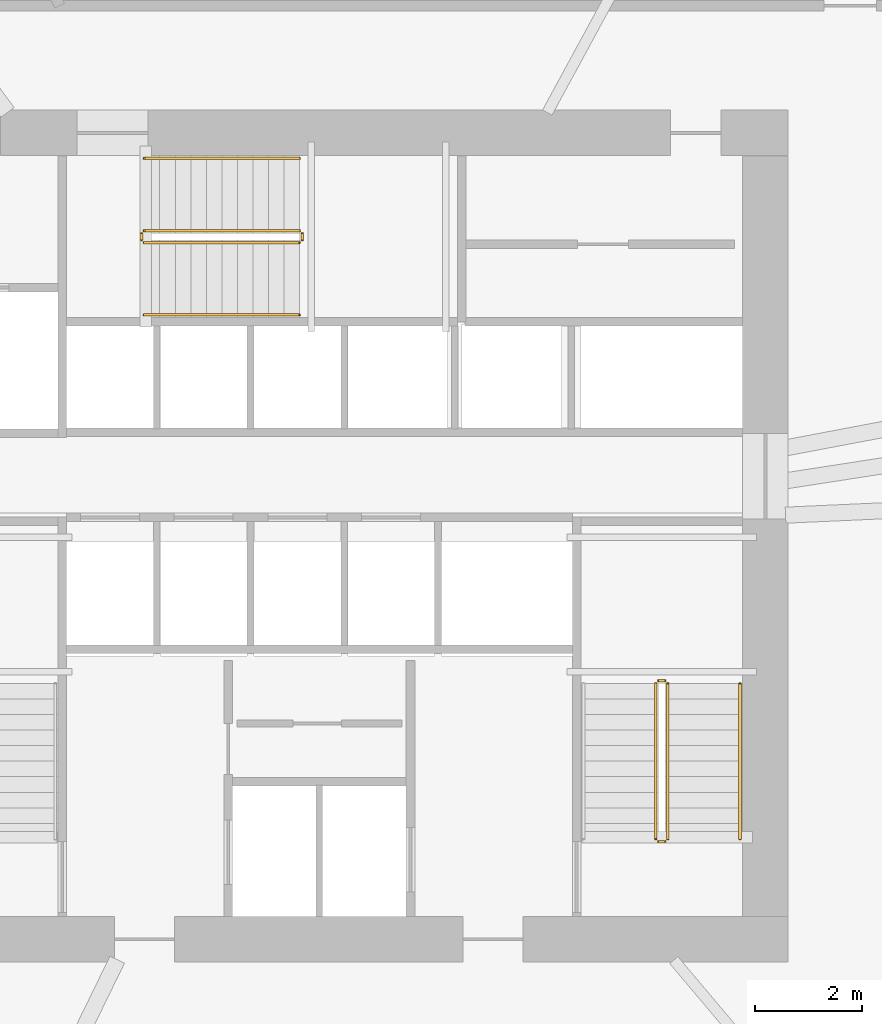
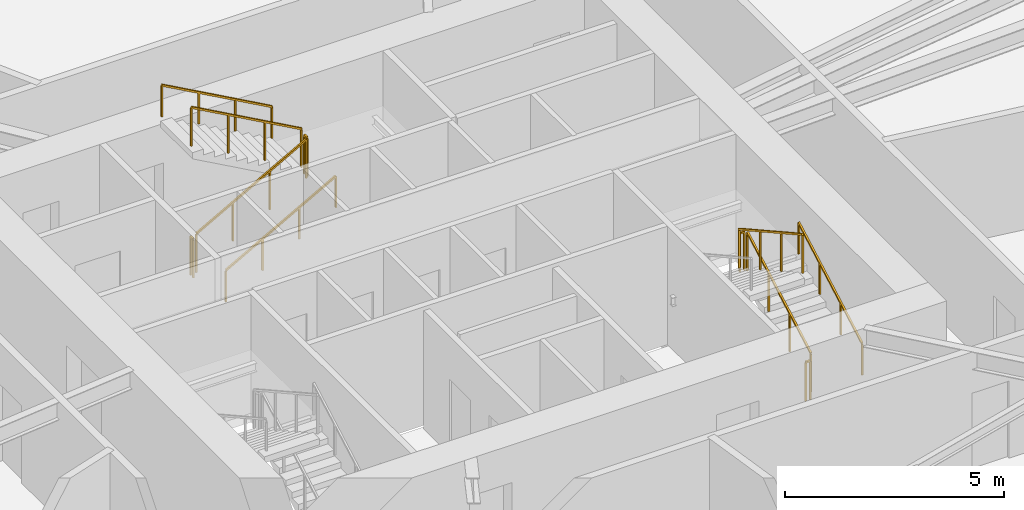
# One storey, part 21 of 22: 11 railings.
"""IFC4 building model written with IfcOpenShell, lengths in metres."""

import ifcopenshell
import ifcopenshell.guid

model = None  # the IFC model being written
_history = None  # IfcOwnerHistory: only IFC2X3 demands one
_inside = {}  # id of a spatial element -> (the spatial element, [elements in it])
_under = {}  # id of a project, library or spatial element -> (it, [spatial elements below it])
_declared = {}  # id of a project -> (the project, [libraries it declares])
_typed = {}  # id of a type object -> (the type object, [elements of that type])
_made_of = {}  # id of a material, layer set ... -> (it, [elements and type objects made of it])


def new_model(schema):
    """Start an empty IFC model of exactly this schema.

    Asked for "IFC4X3", IfcOpenShell would pick the latest addendum, in which some entities
    have other attributes; the version numbers below select the first issue.
    IFC2X3 requires an IfcOwnerHistory on every rooted entity: one is made here for all.
    """
    global model, _history
    if schema == "IFC4X3":
        model = ifcopenshell.file(schema_version=(4, 3, 0, 0))
    else:
        model = ifcopenshell.file(schema=schema)
    _inside.clear()
    _under.clear()
    _declared.clear()
    _typed.clear()
    _made_of.clear()
    _history = None
    if model.schema == "IFC2X3":
        org = make("IfcOrganization", Name="unknown")
        user = make(
            "IfcPersonAndOrganization",
            ThePerson=make("IfcPerson", FamilyName="unknown"),
            TheOrganization=org,
        )
        app = make(
            "IfcApplication",
            ApplicationDeveloper=org,
            Version="unknown",
            ApplicationFullName="unknown",
            ApplicationIdentifier="unknown",
        )
        _history = make(
            "IfcOwnerHistory",
            OwningUser=user,
            OwningApplication=app,
            ChangeAction="ADDED",
            CreationDate=0,
        )
    return model


def make(cls, **values):
    """One entity of the class cls with the attributes given. An attribute that is None is left unset."""
    return model.create_entity(
        cls, **{name: value for name, value in values.items() if value is not None}
    )


def rooted(cls, **values):
    """An entity with a GlobalId (a new one), such as an element, a storey or a relation."""
    return make(cls, GlobalId=ifcopenshell.guid.new(), OwnerHistory=_history, **values)


def si_unit(unit_type, name, prefix=None):
    """IfcSIUnit, for example si_unit("LENGTHUNIT", "METRE", prefix="MILLI")."""
    return make("IfcSIUnit", UnitType=unit_type, Prefix=prefix, Name=name)


def assignment(units):
    """IfcUnitAssignment: the units of a project."""
    return None if units is None else make("IfcUnitAssignment", Units=units)


def point(xyz):
    """IfcCartesianPoint."""
    return None if xyz is None else make("IfcCartesianPoint", Coordinates=xyz)


def direction(xyz):
    """IfcDirection."""
    return None if xyz is None else make("IfcDirection", DirectionRatios=xyz)


def frame(location, z_axis=None, x_axis=None):
    """IfcAxis2Placement3D, a coordinate frame: its origin and axes. An axis left out is left unset."""
    return make(
        "IfcAxis2Placement3D",
        Location=point(location),
        Axis=direction(z_axis),
        RefDirection=direction(x_axis),
    )


def frame_2d(location, x_axis=None):
    """IfcAxis2Placement2D, a coordinate frame in the plane: its origin and x axis."""
    return make(
        "IfcAxis2Placement2D", Location=point(location), RefDirection=direction(x_axis)
    )


def origin():
    """The frame at (0, 0, 0) with its axes left unset."""
    return frame((0.0, 0.0, 0.0))


def origin_2d():
    """The frame at (0, 0) in the plane with its x axis left unset."""
    return frame_2d((0.0, 0.0))


def place(relative_to, where):
    """IfcLocalPlacement: puts the frame where relative to a parent placement (None: the world)."""
    return make(
        "IfcLocalPlacement", PlacementRelTo=relative_to, RelativePlacement=where
    )


def context(
    kind, dimensions, precision=None, world=None, true_north=None, identifier=None
):
    """IfcGeometricRepresentationContext, for example the 3D "Model" context."""
    return make(
        "IfcGeometricRepresentationContext",
        ContextIdentifier=identifier,
        ContextType=kind,
        CoordinateSpaceDimension=dimensions,
        Precision=precision,
        WorldCoordinateSystem=world,
        TrueNorth=true_north,
    )


def subcontext(parent, identifier, kind, view, scale=None):
    """IfcGeometricRepresentationSubContext, for example "Body" below "Model"."""
    return make(
        "IfcGeometricRepresentationSubContext",
        ContextIdentifier=identifier,
        ContextType=kind,
        ParentContext=parent,
        TargetScale=scale,
        TargetView=view,
    )


def project(units=None, contexts=None):
    """IfcProject with its units and contexts."""
    return rooted(
        "IfcProject",
        Name="project",
        RepresentationContexts=contexts,
        UnitsInContext=assignment(units),
    )


def spatial(cls, under=None, at=None, **own):
    """A site, building, storey or space (cls), placed at a placement, below another one or the project."""
    s = rooted(cls, ObjectPlacement=at, **own)
    if under is not None:
        _under.setdefault(under.id(), (under, []))[1].append(s)
    return s


def profile(cls, at=None, kind="AREA", **sizes):
    """A parametric profile (cls). Its sizes go by their IFC names, for example OverallWidth=200.0."""
    return make(cls, ProfileType=kind, Position=at, **sizes)


def rectangle(**sizes):
    """IfcRectangleProfileDef."""
    return profile("IfcRectangleProfileDef", **sizes)


def extrude(swept, where, along, depth):
    """IfcExtrudedAreaSolid: the profile swept, set in the frame where, extruded along a direction by depth."""
    return make(
        "IfcExtrudedAreaSolid",
        SweptArea=swept,
        Position=where,
        ExtrudedDirection=direction(along),
        Depth=depth,
    )


def shape(context_of_items, identifier, shape_type, items):
    """IfcShapeRepresentation: the items that make up one representation, for example the "Body"."""
    return make(
        "IfcShapeRepresentation",
        ContextOfItems=context_of_items,
        RepresentationIdentifier=identifier,
        RepresentationType=shape_type,
        Items=items,
    )


def material(Name=None, Category=None):
    """IfcMaterial."""
    return make("IfcMaterial", Name=Name, Category=Category)


def made_of(thing, what):
    """Note that an element or type object is made of a material, layer set ...; save() writes the relation."""
    if what is not None:
        _made_of.setdefault(what.id(), (what, []))[1].append(thing)
    return thing


def type_object(cls, material=None, **own):
    """A type object (cls), such as IfcWallType, which elements share."""
    return made_of(rooted(cls, **own), material)


def element(
    cls,
    number,
    at=None,
    inside=None,
    cuts=None,
    type_object=None,
    material=None,
    context=None,
    identifier="Body",
    shape_type=None,
    held_by="IfcProductDefinitionShape",
    body=None,
    shapes=None,
    **own,
):
    """One element of the class cls, such as IfcWall. Its Tag is "e" and its number.

    at: its placement. inside: the storey or other place that contains it. cuts: it is an
    opening in that element (IfcRelVoidsElement). A single representation is given by context,
    identifier, shape_type and body (its items); several are given by shapes. held_by: the class
    of the entity that holds the representations. save() writes the other relations.
    """
    e = rooted(cls, Tag="e%d" % number, ObjectPlacement=at, **own)
    if body is not None:
        shapes = [shape(context, identifier, shape_type, body)]
    if shapes is not None:
        e.Representation = make(held_by, Representations=shapes)
    if inside is not None:
        _inside.setdefault(inside.id(), (inside, []))[1].append(e)
    if cuts is not None:
        rooted(
            "IfcRelVoidsElement", RelatingBuildingElement=cuts, RelatedOpeningElement=e
        )
    if type_object is not None:
        _typed.setdefault(type_object.id(), (type_object, []))[1].append(e)
    return made_of(e, material)


def aggregate(whole, parts):
    """IfcRelAggregates: a whole, such as a stair, and the parts it consists of."""
    return rooted("IfcRelAggregates", RelatingObject=whole, RelatedObjects=parts)


def save(model, path):
    """Write the relations noted so far, then the file.

    IfcRelAggregates (storeys below a building ...), IfcRelContainedInSpatialStructure (elements
    in a storey), IfcRelDefinesByType, IfcRelAssociatesMaterial and IfcRelDeclares: one each for
    every whole, place, type object, material and project.
    """
    for whole, parts in _under.values():
        aggregate(whole, parts)
    for where, things in _inside.values():
        rooted(
            "IfcRelContainedInSpatialStructure",
            RelatedElements=things,
            RelatingStructure=where,
        )
    for kind, things in _typed.values():
        rooted("IfcRelDefinesByType", RelatedObjects=things, RelatingType=kind)
    for what, things in _made_of.values():
        rooted("IfcRelAssociatesMaterial", RelatedObjects=things, RelatingMaterial=what)
    for by, libraries in _declared.values():
        rooted("IfcRelDeclares", RelatingContext=by, RelatedDefinitions=libraries)
    model.write(path)


model = new_model("IFC4")

# Units and contexts
model_context = context("Model", 3, precision=1e-05, world=origin(), true_north=direction((0.0, 1.0)))
body_context = subcontext(model_context, "Body", "Model", "MODEL_VIEW")
ifc_project = project(units=[si_unit("LENGTHUNIT", "METRE"), si_unit("AREAUNIT", "SQUARE_METRE"), si_unit("VOLUMEUNIT", "CUBIC_METRE"), si_unit("PLANEANGLEUNIT", "RADIAN"), si_unit("MASSUNIT", "GRAM", prefix="KILO")], contexts=[model_context])

# Site, building, storey
site_placement = place(None, origin())
site = spatial("IfcSite", under=ifc_project, at=site_placement, CompositionType="ELEMENT")
building_placement = place(site_placement, origin())
building = spatial("IfcBuilding", under=site, at=building_placement, Name="Olszyna Solenne Hotel", CompositionType="ELEMENT")
storey_placement = place(building_placement, frame((0.0, 0.0, 57.699951171875)))
storey = spatial("IfcBuildingStorey", under=building, at=storey_placement, Name="L14", CompositionType="ELEMENT", Elevation=57.699951171875)

# Railings
ifc_material_1 = material(Name="Anodised bronze aluminium", Category="aluminium")
railing_type_1 = type_object("IfcRailingType", Name="GR-110", PredefinedType="BALUSTRADE", material=ifc_material_1)
railing_1_placement = place(storey_placement, frame((44.5, 20.949951171875, 0.161376953125)))
element("IfcRailing", 1, at=railing_1_placement, inside=storey, type_object=railing_type_1, Name="L14 ST2 stair guard 1", PredefinedType="BALUSTRADE", context=body_context, shape_type="SweptSolid", body=[
    extrude(rectangle(XDim=0.048095703125, YDim=0.048095703125, at=origin_2d()), frame((0.0, 0.0, 1.076171875), z_axis=(0.0, 0.873827439584, 0.48623616261), x_axis=(-1.0, 0.0, 0.0)), (0.0, 0.0, 1.0), 3.31884765625),
    extrude(rectangle(XDim=0.0419921875, YDim=0.0419921875, at=origin_2d()), origin(), (0.0, 0.0, 1.0), 1.052001953125),
    extrude(rectangle(XDim=0.0419921875, YDim=0.0419921875, at=origin_2d()), frame((0.0, 0.966796875, 0.537841796875)), (0.0, 0.0, 1.0), 1.052001953125),
    extrude(rectangle(XDim=0.0419921875, YDim=0.0419921875, at=origin_2d()), frame((0.0, 1.933349609375, 1.075927734375)), (0.0, 0.0, 1.0), 1.052001953125),
    extrude(rectangle(XDim=0.0419921875, YDim=0.0419921875, at=origin_2d()), frame((0.0, 2.900146484375, 1.61376953125)), (0.0, 0.0, 1.0), 1.052001953125),
])
railing_2_placement = place(storey_placement, frame((44.449951171875, 23.89990234375, 1.775146484375)))
element("IfcRailing", 2, at=railing_2_placement, inside=storey, type_object=railing_type_1, Name="L14 ST2 stair guard 2", PredefinedType="BALUSTRADE", context=body_context, shape_type="SweptSolid", body=[
    extrude(rectangle(XDim=0.048095703125, YDim=0.048095703125, at=origin_2d()), frame((0.0, 0.0, 1.076171875), z_axis=(-1.0, 0.0, 0.0), x_axis=(0.0, -1.0, 0.0)), (0.0, 0.0, 1.0), 0.119873046875),
    extrude(rectangle(XDim=0.0419921875, YDim=0.0419921875, at=origin_2d()), origin(), (0.0, 0.0, 1.0), 1.052001953125),
    extrude(rectangle(XDim=0.0419921875, YDim=0.0419921875, at=origin_2d()), frame((-0.119873046875, 0.0, 0.0)), (0.0, 0.0, 1.0), 1.052001953125),
])
railing_3_placement = place(storey_placement, frame((44.280029296875, 23.85009765625, 1.9365234375)))
element("IfcRailing", 3, at=railing_3_placement, inside=storey, type_object=railing_type_1, Name="L14 ST2 stair guard 3", PredefinedType="BALUSTRADE", context=body_context, shape_type="SweptSolid", body=[
    extrude(rectangle(XDim=0.048095703125, YDim=0.048095703125, at=origin_2d()), frame((0.0, 0.0, 1.076171875), z_axis=(0.0, -0.873858693841, 0.486179990537), x_axis=(1.0, 0.0, 0.0)), (0.0, 0.0, 1.0), 3.31884765625),
    extrude(rectangle(XDim=0.0419921875, YDim=0.0419921875, at=origin_2d()), origin(), (0.0, 0.0, 1.0), 1.052001953125),
    extrude(rectangle(XDim=0.0419921875, YDim=0.0419921875, at=origin_2d()), frame((0.0, -0.966796875, 0.537841796875)), (0.0, 0.0, 1.0), 1.052001953125),
    extrude(rectangle(XDim=0.0419921875, YDim=0.0419921875, at=origin_2d()), frame((0.0, -1.933349609375, 1.07568359375)), (0.0, 0.0, 1.0), 1.052001953125),
    extrude(rectangle(XDim=0.0419921875, YDim=0.0419921875, at=origin_2d()), frame((0.0, -2.900146484375, 1.613525390625)), (0.0, 0.0, 1.0), 1.052001953125),
])
railing_4_placement = place(storey_placement, frame((44.449951171875, 20.89990234375, 0.0)))
element("IfcRailing", 4, at=railing_4_placement, inside=storey, type_object=railing_type_1, Name="L14 ST2 stair guard 4", PredefinedType="BALUSTRADE", context=body_context, shape_type="SweptSolid", body=[
    extrude(rectangle(XDim=0.048095703125, YDim=0.048095703125, at=origin_2d()), frame((0.0, 0.0, 1.076171875), z_axis=(-1.0, 0.0, 0.0), x_axis=(0.0, -1.0, 0.0)), (0.0, 0.0, 1.0), 0.119873046875),
    extrude(rectangle(XDim=0.0419921875, YDim=0.0419921875, at=origin_2d()), origin(), (0.0, 0.0, 1.0), 1.052001953125),
    extrude(rectangle(XDim=0.0419921875, YDim=0.0419921875, at=origin_2d()), frame((-0.119873046875, 0.0, 0.0)), (0.0, 0.0, 1.0), 1.052001953125),
])
railing_5_placement = place(storey_placement, frame((34.72998046875, 32.080078125, 0.161376953125)))
element("IfcRailing", 5, at=railing_5_placement, inside=storey, type_object=railing_type_1, Name="L14 ST3 stair guard 1", PredefinedType="BALUSTRADE", context=body_context, shape_type="SweptSolid", body=[
    extrude(rectangle(XDim=0.048095703125, YDim=0.048095703125, at=origin_2d()), frame((0.0, 0.0, 1.076171875), z_axis=(0.873810046276, 0.0, 0.486267419253), x_axis=(0.0, 1.0, 0.0)), (0.0, 0.0, 1.0), 3.318603515625),
    extrude(rectangle(XDim=0.0419921875, YDim=0.0419921875, at=origin_2d()), origin(), (0.0, 0.0, 1.0), 1.052001953125),
    extrude(rectangle(XDim=0.0419921875, YDim=0.0419921875, at=origin_2d()), frame((0.966552734375, 0.0, 0.537841796875)), (0.0, 0.0, 1.0), 1.052001953125),
    extrude(rectangle(XDim=0.0419921875, YDim=0.0419921875, at=origin_2d()), frame((1.933349609375, 0.0, 1.075927734375)), (0.0, 0.0, 1.0), 1.052001953125),
    extrude(rectangle(XDim=0.0419921875, YDim=0.0419921875, at=origin_2d()), frame((2.89990234375, 0.0, 1.61376953125)), (0.0, 0.0, 1.0), 1.052001953125),
])
railing_6_placement = place(storey_placement, frame((37.679931640625, 32.1298828125, 1.775146484375)))
element("IfcRailing", 6, at=railing_6_placement, inside=storey, type_object=railing_type_1, Name="L14 ST3 stair guard 2", PredefinedType="BALUSTRADE", context=body_context, shape_type="SweptSolid", body=[
    extrude(rectangle(XDim=0.048095703125, YDim=0.048095703125, at=origin_2d()), frame((0.0, 0.0, 1.076171875), z_axis=(0.0, 1.0, 0.0), x_axis=(-1.0, 0.0, 0.0)), (0.0, 0.0, 1.0), 0.1201171875),
    extrude(rectangle(XDim=0.0419921875, YDim=0.0419921875, at=origin_2d()), origin(), (0.0, 0.0, 1.0), 1.052001953125),
    extrude(rectangle(XDim=0.0419921875, YDim=0.0419921875, at=origin_2d()), frame((0.0, 0.1201171875, 0.0)), (0.0, 0.0, 1.0), 1.052001953125),
])
railing_7_placement = place(storey_placement, frame((37.6298828125, 32.300048828125, 1.9365234375)))
element("IfcRailing", 7, at=railing_7_placement, inside=storey, type_object=railing_type_1, Name="L14 ST3 stair guard 3", PredefinedType="BALUSTRADE", context=body_context, shape_type="SweptSolid", body=[
    extrude(rectangle(XDim=0.048095703125, YDim=0.048095703125, at=origin_2d()), frame((0.0, 0.0, 1.076171875), z_axis=(-0.873841303929, 0.0, 0.486211245805), x_axis=(0.0, -1.0, 0.0)), (0.0, 0.0, 1.0), 3.318603515625),
    extrude(rectangle(XDim=0.0419921875, YDim=0.0419921875, at=origin_2d()), origin(), (0.0, 0.0, 1.0), 1.052001953125),
    extrude(rectangle(XDim=0.0419921875, YDim=0.0419921875, at=origin_2d()), frame((-0.966552734375, 0.0, 0.537841796875)), (0.0, 0.0, 1.0), 1.052001953125),
    extrude(rectangle(XDim=0.0419921875, YDim=0.0419921875, at=origin_2d()), frame((-1.933349609375, 0.0, 1.07568359375)), (0.0, 0.0, 1.0), 1.052001953125),
    extrude(rectangle(XDim=0.0419921875, YDim=0.0419921875, at=origin_2d()), frame((-2.89990234375, 0.0, 1.613525390625)), (0.0, 0.0, 1.0), 1.052001953125),
])
railing_8_placement = place(storey_placement, frame((34.679931640625, 32.1298828125, 0.0)))
element("IfcRailing", 8, at=railing_8_placement, inside=storey, type_object=railing_type_1, Name="L14 ST3 stair guard 4", PredefinedType="BALUSTRADE", context=body_context, shape_type="SweptSolid", body=[
    extrude(rectangle(XDim=0.048095703125, YDim=0.048095703125, at=origin_2d()), frame((0.0, 0.0, 1.076171875), z_axis=(0.0, 1.0, 0.0), x_axis=(-1.0, 0.0, 0.0)), (0.0, 0.0, 1.0), 0.1201171875),
    extrude(rectangle(XDim=0.0419921875, YDim=0.0419921875, at=origin_2d()), origin(), (0.0, 0.0, 1.0), 1.052001953125),
    extrude(rectangle(XDim=0.0419921875, YDim=0.0419921875, at=origin_2d()), frame((0.0, 0.1201171875, 0.0)), (0.0, 0.0, 1.0), 1.052001953125),
])
ifc_material_2 = material(Name="Steel S355J2", Category="steel")
railing_type_2 = type_object("IfcRailingType", Name="HR-090", PredefinedType="HANDRAIL", material=ifc_material_2)
railing_9_placement = place(storey_placement, frame((45.85009765625, 20.949951171875, 0.161376953125)))
element("IfcRailing", 9, at=railing_9_placement, inside=storey, type_object=railing_type_2, Name="L14 ST2 stair handrail 1", PredefinedType="HANDRAIL", context=body_context, shape_type="SweptSolid", body=[
    extrude(rectangle(XDim=0.048095703125, YDim=0.048095703125, at=origin_2d()), frame((0.0, 0.0, 0.8759765625), z_axis=(0.0, 0.873827439584, 0.48623616261), x_axis=(-1.0, 0.0, 0.0)), (0.0, 0.0, 1.0), 3.31884765625),
    extrude(rectangle(XDim=0.0419921875, YDim=0.0419921875, at=origin_2d()), origin(), (0.0, 0.0, 1.0), 0.851806640625),
    extrude(rectangle(XDim=0.0419921875, YDim=0.0419921875, at=origin_2d()), frame((0.0, 0.966796875, 0.537841796875)), (0.0, 0.0, 1.0), 0.851806640625),
    extrude(rectangle(XDim=0.0419921875, YDim=0.0419921875, at=origin_2d()), frame((0.0, 1.933349609375, 1.075927734375)), (0.0, 0.0, 1.0), 0.851806640625),
    extrude(rectangle(XDim=0.0419921875, YDim=0.0419921875, at=origin_2d()), frame((0.0, 2.900146484375, 1.61376953125)), (0.0, 0.0, 1.0), 0.851806640625),
])
railing_10_placement = place(storey_placement, frame((34.72998046875, 30.72998046875, 0.161376953125)))
element("IfcRailing", 10, at=railing_10_placement, inside=storey, type_object=railing_type_2, Name="L14 ST3 stair handrail 1", PredefinedType="HANDRAIL", context=body_context, shape_type="SweptSolid", body=[
    extrude(rectangle(XDim=0.048095703125, YDim=0.048095703125, at=origin_2d()), frame((0.0, 0.0, 0.8759765625), z_axis=(0.873810046276, 0.0, 0.486267419253), x_axis=(0.0, 1.0, 0.0)), (0.0, 0.0, 1.0), 3.318603515625),
    extrude(rectangle(XDim=0.0419921875, YDim=0.0419921875, at=origin_2d()), origin(), (0.0, 0.0, 1.0), 0.851806640625),
    extrude(rectangle(XDim=0.0419921875, YDim=0.0419921875, at=origin_2d()), frame((0.966552734375, 0.0, 0.537841796875)), (0.0, 0.0, 1.0), 0.851806640625),
    extrude(rectangle(XDim=0.0419921875, YDim=0.0419921875, at=origin_2d()), frame((1.933349609375, 0.0, 1.075927734375)), (0.0, 0.0, 1.0), 0.851806640625),
    extrude(rectangle(XDim=0.0419921875, YDim=0.0419921875, at=origin_2d()), frame((2.89990234375, 0.0, 1.61376953125)), (0.0, 0.0, 1.0), 0.851806640625),
])
railing_11_placement = place(storey_placement, frame((37.6298828125, 33.64990234375, 1.9365234375)))
element("IfcRailing", 11, at=railing_11_placement, inside=storey, type_object=railing_type_2, Name="L14 ST3 stair handrail 2", PredefinedType="HANDRAIL", context=body_context, shape_type="SweptSolid", body=[
    extrude(rectangle(XDim=0.048095703125, YDim=0.048095703125, at=origin_2d()), frame((0.0, 0.0, 0.8759765625), z_axis=(-0.873841303929, 0.0, 0.486211245805), x_axis=(0.0, -1.0, 0.0)), (0.0, 0.0, 1.0), 3.318603515625),
    extrude(rectangle(XDim=0.0419921875, YDim=0.0419921875, at=origin_2d()), origin(), (0.0, 0.0, 1.0), 0.851806640625),
    extrude(rectangle(XDim=0.0419921875, YDim=0.0419921875, at=origin_2d()), frame((-0.966552734375, 0.0, 0.537841796875)), (0.0, 0.0, 1.0), 0.851806640625),
    extrude(rectangle(XDim=0.0419921875, YDim=0.0419921875, at=origin_2d()), frame((-1.933349609375, 0.0, 1.07568359375)), (0.0, 0.0, 1.0), 0.851806640625),
    extrude(rectangle(XDim=0.0419921875, YDim=0.0419921875, at=origin_2d()), frame((-2.89990234375, 0.0, 1.613525390625)), (0.0, 0.0, 1.0), 0.851806640625),
])

save(model, "model.ifc")
